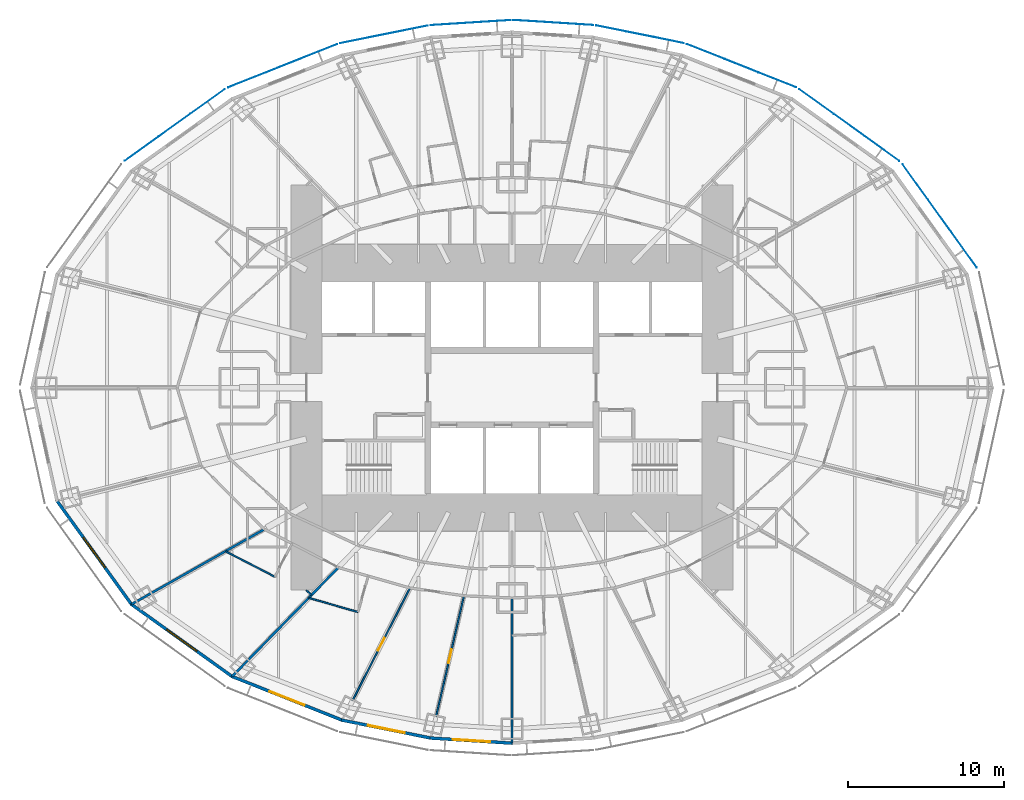
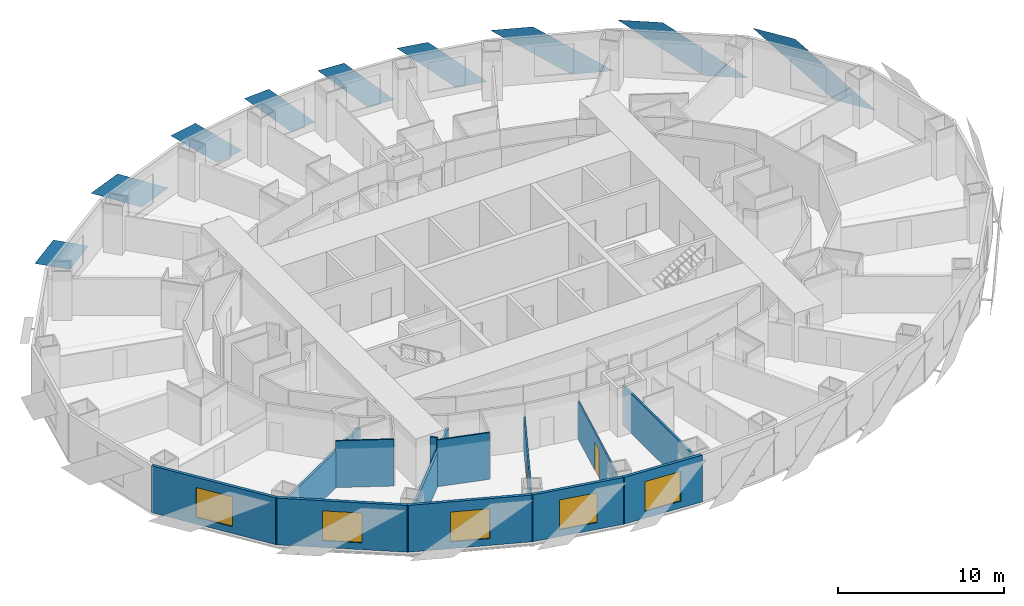
# One storey, part 4 of 15: 13 walls, 9 plates, 5 windows, 2 doors, 7 openings.
"""IFC4 building model written with IfcOpenShell, lengths in metres."""

from ifc_helpers import new_model, si_unit, direction, frame, frame_2d, origin, place, context, subcontext, project, spatial, polyline, rectangle, outline, extrude, material, layer, layer_set, type_object, element, fill, save


model = new_model("IFC4")

# Units and contexts
model_context = context("Model", 3, precision=1e-05, world=origin(), true_north=direction((0.0, 1.0)))
body_context = subcontext(model_context, "Body", "Model", "MODEL_VIEW")
ifc_project = project(units=[si_unit("LENGTHUNIT", "METRE"), si_unit("AREAUNIT", "SQUARE_METRE"), si_unit("VOLUMEUNIT", "CUBIC_METRE"), si_unit("PLANEANGLEUNIT", "RADIAN"), si_unit("MASSUNIT", "GRAM", prefix="KILO")], contexts=[model_context])

# Site, building, storey
site_placement = place(None, origin())
site = spatial("IfcSite", under=ifc_project, at=site_placement, CompositionType="ELEMENT")
building_placement = place(site_placement, origin())
building = spatial("IfcBuilding", under=site, at=building_placement, Name="Lantaw Convention Tower", CompositionType="ELEMENT")
storey_placement = place(building_placement, frame((0.0, 0.0, 55.0)))
storey = spatial("IfcBuildingStorey", under=building, at=storey_placement, Name="L11", CompositionType="ELEMENT", Elevation=55.0)

# Plates
ifc_material_1 = material(Name="Perforated aluminium sheet, pale silver finish", Category="aluminium")
ifc_layer_1 = layer(ifc_material_1, 0.006103515625)
ifc_layer_set_1 = layer_set([ifc_layer_1], Name="Perforated aluminium solar SCREEN panel")
plate_type = type_object("IfcPlateType", Name="Perforated aluminium solar SCREEN panel", PredefinedType="SHEET", material=ifc_layer_set_1)
plate_1_placement = place(storey_placement, frame((29.847900390625, 7.720947265625, -0.175048828125), z_axis=(0.811791382613, 0.583947558463, 9.019268e-06), x_axis=(-0.583947558486, 0.811791382646, 0.0)))
element("IfcPlate", 1, at=plate_1_placement, inside=storey, type_object=plate_type, Name="Solar SCREEN panel", PredefinedType="SHEET", context=body_context, shape_type="SweptSolid", body=[
    extrude(outline(polyline([(0.0, 0.0), (2.809541672291133, 0.0), (8.163093158837512, 3.739990234527119), (5.353551486546379, 3.739990234527119), (0.0, 0.0)])), origin(), (0.0, 0.0, -1.0), 0.006103515625),
])
plate_2_placement = place(storey_placement, frame((24.872314453125, 14.555908203125, -0.175048828125), z_axis=(0.582561421998, 0.812786681331, 1.5819417e-05), x_axis=(-0.812786681433, 0.582561422071, 0.0)))
element("IfcPlate", 2, at=plate_2_placement, inside=storey, type_object=plate_type, Name="Solar SCREEN panel", PredefinedType="SHEET", context=body_context, shape_type="SweptSolid", body=[
    extrude(outline(polyline([(0.0, 0.0), (2.721095180812288, 3.3881317890172014e-21), (7.903118572410756, 3.739990234842974), (5.182023391598468, 3.739990234842974), (0.0, 0.0)])), origin(), (0.0, 0.0, -1.0), 0.006103515625),
])
plate_3_placement = place(storey_placement, frame((18.232177734375, 19.278076171875, -0.175048828125), z_axis=(-0.369183532846, -0.929356508016, 9.163296e-06), x_axis=(-0.929356508055, 0.369183532862, 0.0)))
element("IfcPlate", 3, at=plate_3_placement, inside=storey, type_object=plate_type, Name="Solar SCREEN panel", PredefinedType="SHEET", context=body_context, shape_type="SweptSolid", body=[
    extrude(outline(polyline([(0.0, 0.0), (2.594936467166582, -1.6940658945086007e-21), (7.5321069917580825, -3.739990234532016), (4.937170524591499, -3.739990234532016), (0.0, 0.0)])), origin(), (0.0, 0.0, -1.0), 0.006103515625),
])
plate_4_placement = place(storey_placement, frame((11.03271484375, 22.117919921875, -0.175048828125), z_axis=(-0.197781876197, -0.980246055561, 2.418535e-06), x_axis=(-0.980246055563, 0.197781876198, 1.46e-10)))
element("IfcPlate", 4, at=plate_4_placement, inside=storey, type_object=plate_type, Name="Solar SCREEN panel", PredefinedType="SHEET", context=body_context, shape_type="SweptSolid", body=[
    extrude(outline(polyline([(0.0, 0.0), (1.9867801772236329, -3.1763735522036263e-22), (5.743587245978565, -3.7399902335493134), (3.7568553553458006, -3.739990234128105), (0.0, 0.0)])), origin(), (0.0, 0.0, -1.0), 0.006103515625),
])
plate_5_placement = place(storey_placement, frame((5.221923828125, 23.27783203125, -0.175048828125), z_axis=(-0.062923905251, -0.998018327468, 1.3605496e-05), x_axis=(-0.998018327561, 0.062923905257, 9.3e-10)))
element("IfcPlate", 5, at=plate_5_placement, inside=storey, type_object=plate_type, Name="Solar SCREEN panel", PredefinedType="SHEET", context=body_context, shape_type="SweptSolid", body=[
    extrude(outline(polyline([(0.0, 0.0), (1.7828375409377817, -2.117582368135751e-22), (5.143985963027618, -3.739990229938699), (3.3611637843713935, -3.7399902332537565), (0.0, 0.0)])), origin(), (0.0, 0.0, -1.0), 0.006103515625),
])
plate_6_placement = place(storey_placement, frame((-0.088134765625, 23.6015625, -0.175048828125), z_axis=(-0.062923905251, 0.998018327468, 1.3605496e-05), x_axis=(-0.998018327561, -0.062923905257, -9.3e-10)))
element("IfcPlate", 6, at=plate_6_placement, inside=storey, type_object=plate_type, Name="Solar SCREEN panel", PredefinedType="SHEET", context=body_context, shape_type="SweptSolid", body=[
    extrude(outline(polyline([(0.0, 0.0), (1.782822178656225, -2.117582368135751e-22), (5.143985956073316, 3.7399902395036517), (3.3611484151355353, 3.7399902361885653), (0.0, 0.0)])), origin(), (0.0, 0.0, -1.0), 0.006103515625),
])
plate_7_placement = place(storey_placement, frame((-5.402587890625, 23.25390625, -0.175048828125), z_axis=(-0.197781876197, 0.980246055561, 2.418535e-06), x_axis=(-0.980246055563, -0.197781876198, -1.46e-10)))
element("IfcPlate", 7, at=plate_7_placement, inside=storey, type_object=plate_type, Name="Solar SCREEN panel", PredefinedType="SHEET", context=body_context, shape_type="SweptSolid", body=[
    extrude(outline(polyline([(0.0, 0.0), (1.9867318906327642, 1.0587911840678754e-22), (5.743587244888999, 3.7399902352225842), (3.7568070676653664, 3.7399902346437783), (0.0, 0.0)])), origin(), (0.0, 0.0, -1.0), 0.006103515625),
])
plate_8_placement = place(storey_placement, frame((-11.232177734375, 22.058837890625, -0.175048828125), z_axis=(-0.369183532846, 0.929356508016, 9.163296e-06), x_axis=(-0.929356508055, -0.369183532862, 0.0)))
element("IfcPlate", 8, at=plate_8_placement, inside=storey, type_object=plate_type, Name="Solar SCREEN panel", PredefinedType="SHEET", context=body_context, shape_type="SweptSolid", body=[
    extrude(outline(polyline([(0.0, 0.0), (2.594936467166582, 1.6940658945086007e-21), (7.5321069917580825, 3.739990234532016), (4.937170524591499, 3.739990234532016), (0.0, 0.0)])), origin(), (0.0, 0.0, -1.0), 0.006103515625),
])
plate_9_placement = place(storey_placement, frame((-18.44873046875, 19.159912109375, -0.175048828125), z_axis=(0.582561421998, -0.812786681331, 1.5819417e-05), x_axis=(-0.812786681433, -0.582561422071, 0.0)))
element("IfcPlate", 9, at=plate_9_placement, inside=storey, type_object=plate_type, Name="Solar SCREEN panel", PredefinedType="SHEET", context=body_context, shape_type="SweptSolid", body=[
    extrude(outline(polyline([(0.0, 0.0), (2.721095180812288, -3.3881317890172014e-21), (7.903118572410756, -3.739990234842974), (5.182023391598468, -3.739990234842974), (0.0, 0.0)])), origin(), (0.0, 0.0, -1.0), 0.006103515625),
])

# Walls
ifc_material_2 = material(Name="Moisture resistant gypsum board on steel studs", Category="steel")
ifc_layer_2 = layer(ifc_material_2, 0.10009765625)
ifc_layer_set_2 = layer_set([ifc_layer_2], Name="Bathroom wall 100")
wall_type_1 = type_object("IfcWallType", Name="Bathroom wall 100", PredefinedType="PARTITIONING", material=ifc_layer_set_2)
wall_1_placement = place(storey_placement, frame((-15.2265625, -12.13671875, 0.0), z_axis=(0.0, 0.0, 1.0), x_axis=(-0.888342312029, 0.459181812204, 0.0)))
element("IfcWall", 10, at=wall_1_placement, inside=storey, type_object=wall_type_1, Name="Bathroom wall 100", PredefinedType="PARTITIONING", context=body_context, shape_type="SweptSolid", body=[
    extrude(rectangle(XDim=3.5537109375, YDim=0.10009765625, at=frame_2d((1.77685546875, 0.0))), origin(), (0.0, 0.0, 1.0), 3.449951171875),
])
wall_2_placement = place(storey_placement, frame((-9.884521484375, -14.401123046875, 0.0), z_axis=(0.0, 0.0, 1.0), x_axis=(-0.961456470712, 0.274957187441, 0.0)))
element("IfcWall", 11, at=wall_2_placement, inside=storey, type_object=wall_type_1, Name="Bathroom wall 100", PredefinedType="PARTITIONING", context=body_context, shape_type="SweptSolid", body=[
    extrude(rectangle(XDim=3.2783203125, YDim=0.10009765625, at=frame_2d((1.63916015625, 0.0))), origin(), (0.0, 0.0, 1.0), 3.449951171875),
])

# Wall, opening, window
ifc_material_3 = material(Name="Insulated aluminium panel on steel frame", Category="steel")
ifc_layer_3 = layer(ifc_material_3, 0.199951171875)
ifc_layer_set_3 = layer_set([ifc_layer_3], Name="External wall 200")
wall_type_2 = type_object("IfcWallType", Name="External wall 200", PredefinedType="SOLIDWALL", material=ifc_layer_set_3)
wall_3_placement = place(storey_placement, frame((-29.260498046875, -7.199951171875, 0.0), z_axis=(0.0, 0.0, 1.0), x_axis=(0.583937613703, -0.811798536155, 0.0)))
wall_3 = element("IfcWall", 12, at=wall_3_placement, inside=storey, type_object=wall_type_2, Name="Facade panel wall", PredefinedType="SOLIDWALL", context=body_context, shape_type="SweptSolid", body=[
    extrude(rectangle(XDim=8.322998046875, YDim=0.199951171875, at=frame_2d((4.16162109375, 0.0))), origin(), (0.0, 0.0, 1.0), 3.449951171875),
])
opening_1_placement = place(wall_3_placement, frame((2.96142578125, 0.0, 0.5)))
opening_1 = element("IfcOpeningElement", 13, at=opening_1_placement, cuts=wall_3, Name="Opening W1", PredefinedType="OPENING", context=body_context, shape_type="SweptSolid", body=[
    extrude(rectangle(XDim=2.39990234375, YDim=2.199951171875, at=frame_2d((1.199951171875, 1.10009765625))), frame((0.0, 0.10986328125, 0.0), z_axis=(0.0, -1.0, 0.0), x_axis=(1.0, 0.0, 0.0)), (0.0, 0.0, 1.0), 0.219970703125),
])
ifc_material_4 = material(Name="Aluminium frame, clear insulating glass", Category="aluminium")
window_type = type_object("IfcWindowType", Name="Guest room window 2400x2200", PartitioningType="SINGLE_PANEL", PredefinedType="WINDOW", material=ifc_material_4)
window_1_placement = place(opening_1_placement, origin())
window_1 = element("IfcWindow", 14, at=window_1_placement, inside=storey, type_object=window_type, Name="Guest room window", OverallHeight=2.199951171875, OverallWidth=2.39990234375, PartitioningType="SINGLE_PANEL", PredefinedType="WINDOW", context=body_context, shape_type="SweptSolid", body=[
    extrude(rectangle(XDim=2.39990234375, YDim=2.199951171875, at=frame_2d((1.199951171875, 1.10009765625))), frame((0.0, 0.030029296875, 0.0), z_axis=(0.0, -1.0, 0.0), x_axis=(1.0, 0.0, 0.0)), (0.0, 0.0, 1.0), 0.06005859375),
])
fill(opening_1, window_1)

wall_4_placement = place(storey_placement, frame((-24.482421875, -13.87451171875, 0.0), z_axis=(0.0, 0.0, 1.0), x_axis=(0.812791321576, -0.582554948112, 0.0)))
wall_4 = element("IfcWall", 15, at=wall_4_placement, inside=storey, type_object=wall_type_2, Name="Facade panel wall", PredefinedType="SOLIDWALL", context=body_context, shape_type="SweptSolid", body=[
    extrude(rectangle(XDim=8.063232421875, YDim=0.199951171875, at=frame_2d((4.03173828125, 0.0))), origin(), (0.0, 0.0, 1.0), 3.449951171875),
])
opening_2_placement = place(wall_4_placement, frame((2.83154296875, 0.0, 0.5)))
opening_2 = element("IfcOpeningElement", 16, at=opening_2_placement, cuts=wall_4, Name="Opening W1", PredefinedType="OPENING", context=body_context, shape_type="SweptSolid", body=[
    extrude(rectangle(XDim=2.39990234375, YDim=2.199951171875, at=frame_2d((1.199951171875, 1.10009765625))), frame((0.0, 0.10986328125, 0.0), z_axis=(0.0, -1.0, 0.0), x_axis=(1.0, 0.0, 0.0)), (0.0, 0.0, 1.0), 0.219970703125),
])
window_2_placement = place(opening_2_placement, origin())
window_2 = element("IfcWindow", 17, at=window_2_placement, inside=storey, type_object=window_type, Name="Guest room window", OverallHeight=2.199951171875, OverallWidth=2.39990234375, PartitioningType="SINGLE_PANEL", PredefinedType="WINDOW", context=body_context, shape_type="SweptSolid", body=[
    extrude(rectangle(XDim=2.39990234375, YDim=2.199951171875, at=frame_2d((1.199951171875, 1.10009765625))), frame((0.0, 0.030029296875, 0.0), z_axis=(0.0, -1.0, 0.0), x_axis=(1.0, 0.0, 0.0)), (0.0, 0.0, 1.0), 0.06005859375),
])
fill(opening_2, window_2)

wall_5_placement = place(storey_placement, frame((-18.018310546875, -18.522705078125, 0.0), z_axis=(0.0, 0.0, 1.0), x_axis=(0.929358351251, -0.369178892895, 0.0)))
wall_5 = element("IfcWall", 18, at=wall_5_placement, inside=storey, type_object=wall_type_2, Name="Facade panel wall", PredefinedType="SOLIDWALL", context=body_context, shape_type="SweptSolid", body=[
    extrude(rectangle(XDim=7.6923828125, YDim=0.199951171875, at=frame_2d((3.84619140625, 0.0))), origin(), (0.0, 0.0, 1.0), 3.449951171875),
])
opening_3_placement = place(wall_5_placement, frame((2.64599609375, 0.0, 0.5)))
opening_3 = element("IfcOpeningElement", 19, at=opening_3_placement, cuts=wall_5, Name="Opening W1", PredefinedType="OPENING", context=body_context, shape_type="SweptSolid", body=[
    extrude(rectangle(XDim=2.39990234375, YDim=2.199951171875, at=frame_2d((1.199951171875, 1.10009765625))), frame((0.0, 0.10986328125, 0.0), z_axis=(0.0, -1.0, 0.0), x_axis=(1.0, 0.0, 0.0)), (0.0, 0.0, 1.0), 0.219970703125),
])
window_3_placement = place(opening_3_placement, origin())
window_3 = element("IfcWindow", 20, at=window_3_placement, inside=storey, type_object=window_type, Name="Guest room window", OverallHeight=2.199951171875, OverallWidth=2.39990234375, PartitioningType="SINGLE_PANEL", PredefinedType="WINDOW", context=body_context, shape_type="SweptSolid", body=[
    extrude(rectangle(XDim=2.39990234375, YDim=2.199951171875, at=frame_2d((1.199951171875, 1.10009765625))), frame((0.0, 0.030029296875, 0.0), z_axis=(0.0, -1.0, 0.0), x_axis=(1.0, 0.0, 0.0)), (0.0, 0.0, 1.0), 0.06005859375),
])
fill(opening_3, window_3)

wall_6_placement = place(storey_placement, frame((-10.956787109375, -21.336669921875, 0.0), z_axis=(0.0, 0.0, 1.0), x_axis=(0.980251657452, -0.197754110105, 0.0)))
wall_6 = element("IfcWall", 21, at=wall_6_placement, inside=storey, type_object=wall_type_2, Name="Facade panel wall", PredefinedType="SOLIDWALL", context=body_context, shape_type="SweptSolid", body=[
    extrude(rectangle(XDim=5.90380859375, YDim=0.199951171875, at=frame_2d((2.951904296875, 0.0))), origin(), (0.0, 0.0, 1.0), 3.449951171875),
])
opening_4_placement = place(wall_6_placement, frame((1.751708984375, 0.0, 0.5)))
opening_4 = element("IfcOpeningElement", 22, at=opening_4_placement, cuts=wall_6, Name="Opening W1", PredefinedType="OPENING", context=body_context, shape_type="SweptSolid", body=[
    extrude(rectangle(XDim=2.39990234375, YDim=2.199951171875, at=frame_2d((1.199951171875, 1.10009765625))), frame((0.0, 0.10986328125, 0.0), z_axis=(0.0, -1.0, 0.0), x_axis=(1.0, 0.0, 0.0)), (0.0, 0.0, 1.0), 0.219970703125),
])
window_4_placement = place(opening_4_placement, origin())
window_4 = element("IfcWindow", 23, at=window_4_placement, inside=storey, type_object=window_type, Name="Guest room window", OverallHeight=2.199951171875, OverallWidth=2.39990234375, PartitioningType="SINGLE_PANEL", PredefinedType="WINDOW", context=body_context, shape_type="SweptSolid", body=[
    extrude(rectangle(XDim=2.39990234375, YDim=2.199951171875, at=frame_2d((1.199951171875, 1.10009765625))), frame((0.0, 0.030029296875, 0.0), z_axis=(0.0, -1.0, 0.0), x_axis=(1.0, 0.0, 0.0)), (0.0, 0.0, 1.0), 0.06005859375),
])
fill(opening_4, window_4)

wall_7_placement = place(storey_placement, frame((-5.252685546875, -22.493408203125, 0.0), z_axis=(0.0, 0.0, 1.0), x_axis=(0.998018582375, -0.062919863585, 0.0)))
wall_7 = element("IfcWall", 24, at=wall_7_placement, inside=storey, type_object=wall_type_2, Name="Facade panel wall", PredefinedType="SOLIDWALL", context=body_context, shape_type="SweptSolid", body=[
    extrude(rectangle(XDim=5.30419921875, YDim=0.199951171875, at=frame_2d((2.652099609375, 0.0))), origin(), (0.0, 0.0, 1.0), 3.449951171875),
])
opening_5_placement = place(wall_7_placement, frame((1.4521484375, 0.0, 0.5)))
opening_5 = element("IfcOpeningElement", 25, at=opening_5_placement, cuts=wall_7, Name="Opening W1", PredefinedType="OPENING", context=body_context, shape_type="SweptSolid", body=[
    extrude(rectangle(XDim=2.39990234375, YDim=2.199951171875, at=frame_2d((1.199951171875, 1.10009765625))), frame((0.0, 0.10986328125, 0.0), z_axis=(0.0, -1.0, 0.0), x_axis=(1.0, 0.0, 0.0)), (0.0, 0.0, 1.0), 0.219970703125),
])
window_5_placement = place(opening_5_placement, origin())
window_5 = element("IfcWindow", 26, at=window_5_placement, inside=storey, type_object=window_type, Name="Guest room window", OverallHeight=2.199951171875, OverallWidth=2.39990234375, PartitioningType="SINGLE_PANEL", PredefinedType="WINDOW", context=body_context, shape_type="SweptSolid", body=[
    extrude(rectangle(XDim=2.39990234375, YDim=2.199951171875, at=frame_2d((1.199951171875, 1.10009765625))), frame((0.0, 0.030029296875, 0.0), z_axis=(0.0, -1.0, 0.0), x_axis=(1.0, 0.0, 0.0)), (0.0, 0.0, 1.0), 0.06005859375),
])
fill(opening_5, window_5)

# Walls
ifc_material_5 = material(Name="Gypsum board on steel studs, acoustic", Category="steel")
ifc_layer_4 = layer(ifc_material_5, 0.14990234375)
ifc_layer_set_4 = layer_set([ifc_layer_4], Name="Guest room party wall 150")
wall_type_3 = type_object("IfcWallType", Name="Guest room party wall 150", PredefinedType="PARTITIONING", material=ifc_layer_set_4)
wall_8_placement = place(storey_placement, frame((-24.434814453125, -13.90869140625, 0.0), z_axis=(0.0, 0.0, 1.0), x_axis=(0.870612006791, 0.491970256856, 0.0)))
element("IfcWall", 27, at=wall_8_placement, inside=storey, type_object=wall_type_3, Name="Guest room party wall 150", PredefinedType="PARTITIONING", context=body_context, shape_type="SweptSolid", body=[
    extrude(rectangle(XDim=9.802001953125, YDim=0.14990234375, at=frame_2d((4.90087890625, 0.0))), origin(), (0.0, 0.0, 1.0), 2.693115234375),
])
wall_9_placement = place(storey_placement, frame((-17.970458984375, -18.541748046875, 0.0), z_axis=(0.0, 0.0, 1.0), x_axis=(0.698095013805, 0.71600513385, 0.0)))
element("IfcWall", 28, at=wall_9_placement, inside=storey, type_object=wall_type_3, Name="Guest room party wall 150", PredefinedType="PARTITIONING", context=body_context, shape_type="SweptSolid", body=[
    extrude(rectangle(XDim=9.773681640625, YDim=0.14990234375, at=frame_2d((4.88671875, 0.0))), origin(), (0.0, 0.0, 1.0), 2.528076171875),
])
wall_10_placement = place(storey_placement, frame((0.0, -22.82470703125, 0.0), z_axis=(0.0, 0.0, 1.0), x_axis=(0.0, 1.0, 0.0)))
element("IfcWall", 29, at=wall_10_placement, inside=storey, type_object=wall_type_3, Name="Guest room party wall 150", PredefinedType="PARTITIONING", context=body_context, shape_type="SweptSolid", body=[
    extrude(rectangle(XDim=9.32470703125, YDim=0.14990234375, at=frame_2d((4.662353515625, 0.0))), origin(), (0.0, 0.0, 1.0), 2.92431640625),
])
ifc_layer_5 = layer(ifc_material_5, 0.10009765625)
ifc_layer_set_5 = layer_set([ifc_layer_5], Name="Office partition 100")
wall_type_4 = type_object("IfcWallType", Name="Office partition 100", PredefinedType="PARTITIONING", material=ifc_layer_set_5)
wall_11_placement = place(storey_placement, frame((-13.199951171875, -13.0, 0.0), z_axis=(0.0, 0.0, 1.0), x_axis=(0.715946243145, -0.698155410296, 0.0)))
element("IfcWall", 30, at=wall_11_placement, inside=storey, type_object=wall_type_4, Name="Office partition 100", PredefinedType="PARTITIONING", context=body_context, shape_type="SweptSolid", body=[
    extrude(rectangle(XDim=0.452880859375, YDim=0.10009765625, at=frame_2d((0.2265625, 0.0))), origin(), (0.0, 0.0, 1.0), 3.449951171875),
])

# Wall, opening, door
ifc_material_6 = material(Name="Gypsum board on steel studs", Category="steel")
ifc_layer_6 = layer(ifc_material_6, 0.10009765625)
ifc_layer_set_6 = layer_set([ifc_layer_6], Name="Suite partition 100")
wall_type_5 = type_object("IfcWallType", Name="Suite partition 100", PredefinedType="PARTITIONING", material=ifc_layer_set_6)
wall_12_placement = place(storey_placement, frame((-10.235595703125, -20.08837890625, 0.0), z_axis=(0.0, 0.0, 1.0), x_axis=(0.45398797485, 0.891007810679, 0.0)))
wall_12 = element("IfcWall", 31, at=wall_12_placement, inside=storey, type_object=wall_type_5, Name="Suite partition 100", PredefinedType="PARTITIONING", context=body_context, shape_type="SweptSolid", body=[
    extrude(rectangle(XDim=8.114990234375, YDim=0.10009765625, at=frame_2d((4.0576171875, 0.0))), origin(), (0.0, 0.0, 1.0), 2.528076171875),
])
opening_6_placement = place(wall_12_placement, frame((3.607421875, 0.0, 0.0)))
opening_6 = element("IfcOpeningElement", 32, at=opening_6_placement, cuts=wall_12, Name="Opening L11.52", PredefinedType="OPENING", context=body_context, shape_type="SweptSolid", body=[
    extrude(rectangle(XDim=0.89990234375, YDim=2.10009765625, at=frame_2d((0.449951171875, 1.050048828125))), frame((0.0, 0.06005859375, 0.0), z_axis=(0.0, -1.0, 0.0), x_axis=(1.0, 0.0, 0.0)), (0.0, 0.0, 1.0), 0.1201171875),
])
ifc_material_7 = material(Name="Timber", Category="wood")
door_type = type_object("IfcDoorType", Name="Suite door 900", OperationType="SINGLE_SWING_LEFT", PredefinedType="DOOR", material=ifc_material_7)
door_1_placement = place(opening_6_placement, origin())
door_1 = element("IfcDoor", 33, at=door_1_placement, inside=storey, type_object=door_type, Name="Bedroom door", OperationType="SINGLE_SWING_LEFT", OverallHeight=2.10009765625, OverallWidth=0.89990234375, PredefinedType="DOOR", context=body_context, shape_type="SweptSolid", body=[
    extrude(rectangle(XDim=0.89990234375, YDim=2.10009765625, at=frame_2d((0.449951171875, 1.050048828125))), frame((0.0, 0.02490234375, 0.0), z_axis=(0.0, -1.0, 0.0), x_axis=(1.0, 0.0, 0.0)), (0.0, 0.0, 1.0), 0.050048828125),
])
fill(opening_6, door_1)

wall_13_placement = place(storey_placement, frame((-4.873779296875, -21.11083984375, 0.0), z_axis=(0.0, 0.0, 1.0), x_axis=(0.22494692831, 0.974371017346, 0.0)))
wall_13 = element("IfcWall", 34, at=wall_13_placement, inside=storey, type_object=wall_type_5, Name="Suite partition 100", PredefinedType="PARTITIONING", context=body_context, shape_type="SweptSolid", body=[
    extrude(rectangle(XDim=7.954345703125, YDim=0.10009765625, at=frame_2d((3.97705078125, 0.0))), origin(), (0.0, 0.0, 1.0), 2.766845703125),
])
opening_7_placement = place(wall_13_placement, frame((3.527099609375, 0.0, 0.0)))
opening_7 = element("IfcOpeningElement", 35, at=opening_7_placement, cuts=wall_13, Name="Opening L11.53", PredefinedType="OPENING", context=body_context, shape_type="SweptSolid", body=[
    extrude(rectangle(XDim=0.89990234375, YDim=2.10009765625, at=frame_2d((0.449951171875, 1.050048828125))), frame((0.0, 0.06005859375, 0.0), z_axis=(0.0, -1.0, 0.0), x_axis=(1.0, 0.0, 0.0)), (0.0, 0.0, 1.0), 0.1201171875),
])
door_2_placement = place(opening_7_placement, origin())
door_2 = element("IfcDoor", 36, at=door_2_placement, inside=storey, type_object=door_type, Name="Kitchenette door", OperationType="SINGLE_SWING_LEFT", OverallHeight=2.10009765625, OverallWidth=0.89990234375, PredefinedType="DOOR", context=body_context, shape_type="SweptSolid", body=[
    extrude(rectangle(XDim=0.89990234375, YDim=2.10009765625, at=frame_2d((0.449951171875, 1.050048828125))), frame((0.0, 0.02490234375, 0.0), z_axis=(0.0, -1.0, 0.0), x_axis=(1.0, 0.0, 0.0)), (0.0, 0.0, 1.0), 0.050048828125),
])
fill(opening_7, door_2)

save(model, "model.ifc")
